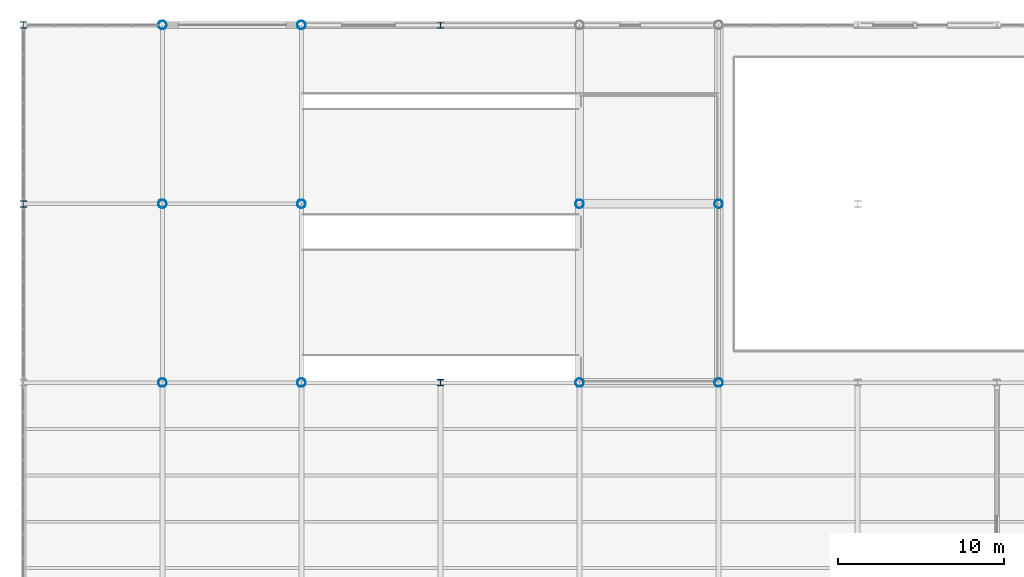
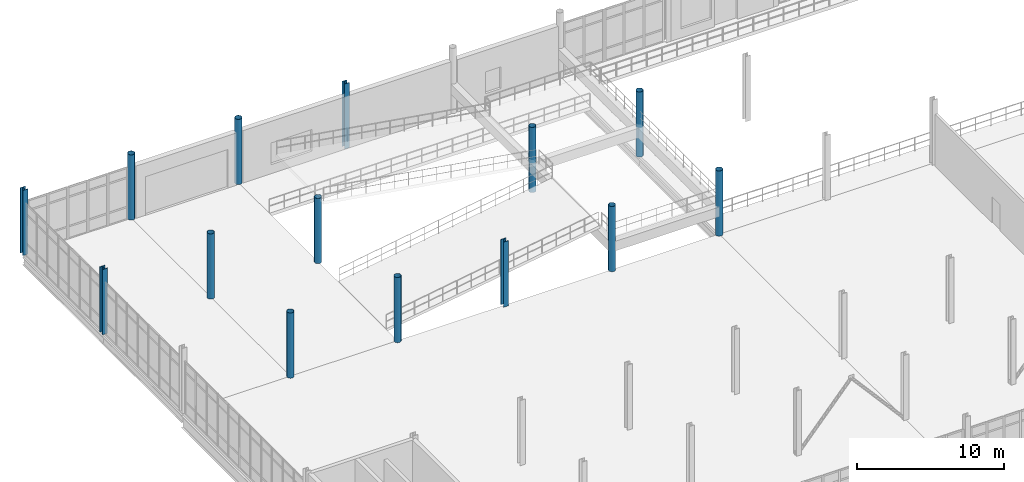
# One storey, part 9 of 111: 14 columns.
"""IFC4 building model written with IfcOpenShell, lengths in metres."""

import ifcopenshell
import ifcopenshell.guid

model = None  # the IFC model being written
_history = None  # IfcOwnerHistory: only IFC2X3 demands one
_inside = {}  # id of a spatial element -> (the spatial element, [elements in it])
_under = {}  # id of a project, library or spatial element -> (it, [spatial elements below it])
_declared = {}  # id of a project -> (the project, [libraries it declares])
_typed = {}  # id of a type object -> (the type object, [elements of that type])
_made_of = {}  # id of a material, layer set ... -> (it, [elements and type objects made of it])


def new_model(schema):
    """Start an empty IFC model of exactly this schema.

    Asked for "IFC4X3", IfcOpenShell would pick the latest addendum, in which some entities
    have other attributes; the version numbers below select the first issue.
    IFC2X3 requires an IfcOwnerHistory on every rooted entity: one is made here for all.
    """
    global model, _history
    if schema == "IFC4X3":
        model = ifcopenshell.file(schema_version=(4, 3, 0, 0))
    else:
        model = ifcopenshell.file(schema=schema)
    _inside.clear()
    _under.clear()
    _declared.clear()
    _typed.clear()
    _made_of.clear()
    _history = None
    if model.schema == "IFC2X3":
        org = make("IfcOrganization", Name="unknown")
        user = make(
            "IfcPersonAndOrganization",
            ThePerson=make("IfcPerson", FamilyName="unknown"),
            TheOrganization=org,
        )
        app = make(
            "IfcApplication",
            ApplicationDeveloper=org,
            Version="unknown",
            ApplicationFullName="unknown",
            ApplicationIdentifier="unknown",
        )
        _history = make(
            "IfcOwnerHistory",
            OwningUser=user,
            OwningApplication=app,
            ChangeAction="ADDED",
            CreationDate=0,
        )
    return model


def make(cls, **values):
    """One entity of the class cls with the attributes given. An attribute that is None is left unset."""
    return model.create_entity(
        cls, **{name: value for name, value in values.items() if value is not None}
    )


def rooted(cls, **values):
    """An entity with a GlobalId (a new one), such as an element, a storey or a relation."""
    return make(cls, GlobalId=ifcopenshell.guid.new(), OwnerHistory=_history, **values)


def si_unit(unit_type, name, prefix=None):
    """IfcSIUnit, for example si_unit("LENGTHUNIT", "METRE", prefix="MILLI")."""
    return make("IfcSIUnit", UnitType=unit_type, Prefix=prefix, Name=name)


def assignment(units):
    """IfcUnitAssignment: the units of a project."""
    return None if units is None else make("IfcUnitAssignment", Units=units)


def point(xyz):
    """IfcCartesianPoint."""
    return None if xyz is None else make("IfcCartesianPoint", Coordinates=xyz)


def direction(xyz):
    """IfcDirection."""
    return None if xyz is None else make("IfcDirection", DirectionRatios=xyz)


def frame(location, z_axis=None, x_axis=None):
    """IfcAxis2Placement3D, a coordinate frame: its origin and axes. An axis left out is left unset."""
    return make(
        "IfcAxis2Placement3D",
        Location=point(location),
        Axis=direction(z_axis),
        RefDirection=direction(x_axis),
    )


def frame_2d(location, x_axis=None):
    """IfcAxis2Placement2D, a coordinate frame in the plane: its origin and x axis."""
    return make(
        "IfcAxis2Placement2D", Location=point(location), RefDirection=direction(x_axis)
    )


def origin():
    """The frame at (0, 0, 0) with its axes left unset."""
    return frame((0.0, 0.0, 0.0))


def origin_2d():
    """The frame at (0, 0) in the plane with its x axis left unset."""
    return frame_2d((0.0, 0.0))


def place(relative_to, where):
    """IfcLocalPlacement: puts the frame where relative to a parent placement (None: the world)."""
    return make(
        "IfcLocalPlacement", PlacementRelTo=relative_to, RelativePlacement=where
    )


def context(
    kind, dimensions, precision=None, world=None, true_north=None, identifier=None
):
    """IfcGeometricRepresentationContext, for example the 3D "Model" context."""
    return make(
        "IfcGeometricRepresentationContext",
        ContextIdentifier=identifier,
        ContextType=kind,
        CoordinateSpaceDimension=dimensions,
        Precision=precision,
        WorldCoordinateSystem=world,
        TrueNorth=true_north,
    )


def subcontext(parent, identifier, kind, view, scale=None):
    """IfcGeometricRepresentationSubContext, for example "Body" below "Model"."""
    return make(
        "IfcGeometricRepresentationSubContext",
        ContextIdentifier=identifier,
        ContextType=kind,
        ParentContext=parent,
        TargetScale=scale,
        TargetView=view,
    )


def project(units=None, contexts=None):
    """IfcProject with its units and contexts."""
    return rooted(
        "IfcProject",
        Name="project",
        RepresentationContexts=contexts,
        UnitsInContext=assignment(units),
    )


def spatial(cls, under=None, at=None, **own):
    """A site, building, storey or space (cls), placed at a placement, below another one or the project."""
    s = rooted(cls, ObjectPlacement=at, **own)
    if under is not None:
        _under.setdefault(under.id(), (under, []))[1].append(s)
    return s


def profile(cls, at=None, kind="AREA", **sizes):
    """A parametric profile (cls). Its sizes go by their IFC names, for example OverallWidth=200.0."""
    return make(cls, ProfileType=kind, Position=at, **sizes)


def hollow_circle(**sizes):
    """IfcCircleHollowProfileDef."""
    return profile("IfcCircleHollowProfileDef", **sizes)


def i_section(**sizes):
    """IfcIShapeProfileDef."""
    return profile("IfcIShapeProfileDef", **sizes)


def extrude(swept, where, along, depth):
    """IfcExtrudedAreaSolid: the profile swept, set in the frame where, extruded along a direction by depth."""
    return make(
        "IfcExtrudedAreaSolid",
        SweptArea=swept,
        Position=where,
        ExtrudedDirection=direction(along),
        Depth=depth,
    )


def shape(context_of_items, identifier, shape_type, items):
    """IfcShapeRepresentation: the items that make up one representation, for example the "Body"."""
    return make(
        "IfcShapeRepresentation",
        ContextOfItems=context_of_items,
        RepresentationIdentifier=identifier,
        RepresentationType=shape_type,
        Items=items,
    )


def material(Name=None, Category=None):
    """IfcMaterial."""
    return make("IfcMaterial", Name=Name, Category=Category)


def material_profile(
    of_material, cross_section, Name=None, Category=None, Priority=None
):
    """IfcMaterialProfile: a cross section and its material."""
    return make(
        "IfcMaterialProfile",
        Name=Name,
        Material=of_material,
        Profile=cross_section,
        Priority=Priority,
        Category=Category,
    )


def profile_set(profiles, Name=None, composite=None):
    """IfcMaterialProfileSet."""
    return make(
        "IfcMaterialProfileSet",
        Name=Name,
        MaterialProfiles=profiles,
        CompositeProfile=composite,
    )


def made_of(thing, what):
    """Note that an element or type object is made of a material, layer set ...; save() writes the relation."""
    if what is not None:
        _made_of.setdefault(what.id(), (what, []))[1].append(thing)
    return thing


def type_object(cls, material=None, **own):
    """A type object (cls), such as IfcWallType, which elements share."""
    return made_of(rooted(cls, **own), material)


def element(
    cls,
    number,
    at=None,
    inside=None,
    cuts=None,
    type_object=None,
    material=None,
    context=None,
    identifier="Body",
    shape_type=None,
    held_by="IfcProductDefinitionShape",
    body=None,
    shapes=None,
    **own,
):
    """One element of the class cls, such as IfcWall. Its Tag is "e" and its number.

    at: its placement. inside: the storey or other place that contains it. cuts: it is an
    opening in that element (IfcRelVoidsElement). A single representation is given by context,
    identifier, shape_type and body (its items); several are given by shapes. held_by: the class
    of the entity that holds the representations. save() writes the other relations.
    """
    e = rooted(cls, Tag="e%d" % number, ObjectPlacement=at, **own)
    if body is not None:
        shapes = [shape(context, identifier, shape_type, body)]
    if shapes is not None:
        e.Representation = make(held_by, Representations=shapes)
    if inside is not None:
        _inside.setdefault(inside.id(), (inside, []))[1].append(e)
    if cuts is not None:
        rooted(
            "IfcRelVoidsElement", RelatingBuildingElement=cuts, RelatedOpeningElement=e
        )
    if type_object is not None:
        _typed.setdefault(type_object.id(), (type_object, []))[1].append(e)
    return made_of(e, material)


def aggregate(whole, parts):
    """IfcRelAggregates: a whole, such as a stair, and the parts it consists of."""
    return rooted("IfcRelAggregates", RelatingObject=whole, RelatedObjects=parts)


def save(model, path):
    """Write the relations noted so far, then the file.

    IfcRelAggregates (storeys below a building ...), IfcRelContainedInSpatialStructure (elements
    in a storey), IfcRelDefinesByType, IfcRelAssociatesMaterial and IfcRelDeclares: one each for
    every whole, place, type object, material and project.
    """
    for whole, parts in _under.values():
        aggregate(whole, parts)
    for where, things in _inside.values():
        rooted(
            "IfcRelContainedInSpatialStructure",
            RelatedElements=things,
            RelatingStructure=where,
        )
    for kind, things in _typed.values():
        rooted("IfcRelDefinesByType", RelatedObjects=things, RelatingType=kind)
    for what, things in _made_of.values():
        rooted("IfcRelAssociatesMaterial", RelatedObjects=things, RelatingMaterial=what)
    for by, libraries in _declared.values():
        rooted("IfcRelDeclares", RelatingContext=by, RelatedDefinitions=libraries)
    model.write(path)


model = new_model("IFC4")

# Units and contexts
model_context = context("Model", 3, precision=1e-05, world=origin(), true_north=direction((0.0, 1.0)))
body_context = subcontext(model_context, "Body", "Model", "MODEL_VIEW")
ifc_project = project(units=[si_unit("LENGTHUNIT", "METRE"), si_unit("AREAUNIT", "SQUARE_METRE"), si_unit("VOLUMEUNIT", "CUBIC_METRE"), si_unit("PLANEANGLEUNIT", "RADIAN"), si_unit("MASSUNIT", "GRAM", prefix="KILO"), si_unit("THERMODYNAMICTEMPERATUREUNIT", "KELVIN"), si_unit("POWERUNIT", "WATT")], contexts=[model_context])

# Site, building, storey
site_placement = place(None, origin())
site = spatial("IfcSite", under=ifc_project, at=site_placement, CompositionType="ELEMENT")
building_placement = place(site_placement, origin())
building = spatial("IfcBuilding", under=site, at=building_placement, Name="Tembeka Court Mobility Hub", CompositionType="ELEMENT")
storey_placement = place(building_placement, origin())
storey = spatial("IfcBuildingStorey", under=building, at=storey_placement, Name="L00", CompositionType="ELEMENT", Elevation=0.0)

# Columns
ifc_material = material(Name="Steel S355", Category="steel")
ifc_material_profile_1 = material_profile(ifc_material, i_section(OverallWidth=0.39892578125, OverallDepth=0.39404296875, WebThickness=0.022705078125, FlangeThickness=0.03662109375, FilletRadius=0.01513671875, at=origin_2d()), Name="UKC 356x406x287")
ifc_profile_set_1 = profile_set([ifc_material_profile_1], Name="Steel S355")
column_type_1 = type_object("IfcColumnType", Name="COL-C01", PredefinedType="COLUMN", material=ifc_profile_set_1)
for number, where, z_axis, x_axis, name in (
    (1, (0.0, 108.0, 0.0), (0.0, 0.0, 1.0), (1.0, 0.0, 0.0), "Column C01 (L00-011)"),
    (2, (0.0, 118.800048828125, 0.0), (0.0, 0.0, 1.0), (1.0, 0.0, 0.0), "Column C01 (L00-012)"),
    (3, (25.199951171875, 97.199951171875, 0.0), (0.0, 0.0, 1.0), (1.0, 0.0, 0.0), "Column C01 (L00-045)"),
):
    element("IfcColumn", number, at=place(storey_placement, frame(where, z_axis=z_axis, x_axis=x_axis)), inside=storey, type_object=column_type_1, Name=name, PredefinedType="COLUMN", context=body_context, shape_type="SweptSolid", body=[
        extrude(i_section(OverallWidth=0.39892578125, OverallDepth=0.39404296875, WebThickness=0.022705078125, FlangeThickness=0.03662109375, FilletRadius=0.01513671875, at=origin_2d()), origin(), (0.0, 0.0, 1.0), 5.39990234375),
    ])
ifc_material_profile_2 = material_profile(ifc_material, i_section(OverallWidth=0.373046875, OverallDepth=0.367919921875, WebThickness=0.014404296875, FlangeThickness=0.023681640625, FilletRadius=0.01513671875, at=origin_2d()), Name="UKC 356x368x177")
ifc_profile_set_2 = profile_set([ifc_material_profile_2], Name="Steel S355")
column_type_2 = type_object("IfcColumnType", Name="COL-C03", PredefinedType="COLUMN", material=ifc_profile_set_2)
column_placement = place(storey_placement, frame((25.199951171875, 118.800048828125, 0.0), z_axis=(0.0, 0.0, 1.0), x_axis=(1.0, 0.0, 0.0)))
element("IfcColumn", 4, at=column_placement, inside=storey, type_object=column_type_2, Name="Column C03 (L00-046)", PredefinedType="COLUMN", context=body_context, shape_type="SweptSolid", body=[
    extrude(i_section(OverallWidth=0.373046875, OverallDepth=0.367919921875, WebThickness=0.014404296875, FlangeThickness=0.023681640625, FilletRadius=0.01513671875, at=origin_2d()), origin(), (0.0, 0.0, 1.0), 5.39990234375),
])
ifc_material_profile_3 = material_profile(ifc_material, hollow_circle(Radius=0.25390625, WallThickness=0.01611328125, at=origin_2d()), Name="CHS 508x16")
ifc_profile_set_3 = profile_set([ifc_material_profile_3], Name="Steel S355")
column_type_3 = type_object("IfcColumnType", Name="COL-C08", PredefinedType="COLUMN", material=ifc_profile_set_3)
for number, where, z_axis, x_axis, name in (
    (5, (8.39990234375, 97.199951171875, 0.0), (0.0, 0.0, 1.0), (1.0, 0.0, 0.0), "Column C08 (L00-022)"),
    (6, (8.39990234375, 108.0, 0.0), (0.0, 0.0, 1.0), (1.0, 0.0, 0.0), "Column C08 (L00-023)"),
    (7, (8.39990234375, 118.800048828125, 0.0), (0.0, 0.0, 1.0), (1.0, 0.0, 0.0), "Column C08 (L00-024)"),
    (8, (16.800048828125, 97.199951171875, 0.0), (0.0, 0.0, 1.0), (1.0, 0.0, 0.0), "Column C08 (L00-034)"),
    (9, (16.800048828125, 108.0, 0.0), (0.0, 0.0, 1.0), (1.0, 0.0, 0.0), "Column C08 (L00-035)"),
    (10, (16.800048828125, 118.800048828125, 0.0), (0.0, 0.0, 1.0), (1.0, 0.0, 0.0), "Column C08 (L00-036)"),
    (11, (33.60009765625, 97.199951171875, 0.0), (0.0, 0.0, 1.0), (1.0, 0.0, 0.0), "Column C08 (L00-056)"),
    (12, (33.60009765625, 108.0, 0.0), (0.0, 0.0, 1.0), (1.0, 0.0, 0.0), "Column C08 (L00-057)"),
    (13, (42.0, 97.199951171875, 0.0), (0.0, 0.0, 1.0), (1.0, 0.0, 0.0), "Column C08 (L00-068)"),
    (14, (42.0, 108.0, 0.0), (0.0, 0.0, 1.0), (1.0, 0.0, 0.0), "Column C08 (L00-069)"),
):
    element("IfcColumn", number, at=place(storey_placement, frame(where, z_axis=z_axis, x_axis=x_axis)), inside=storey, type_object=column_type_3, Name=name, PredefinedType="COLUMN", context=body_context, shape_type="SweptSolid", body=[
        extrude(hollow_circle(Radius=0.25390625, WallThickness=0.01611328125, at=origin_2d()), origin(), (0.0, 0.0, 1.0), 5.39990234375),
    ])

save(model, "model.ifc")
